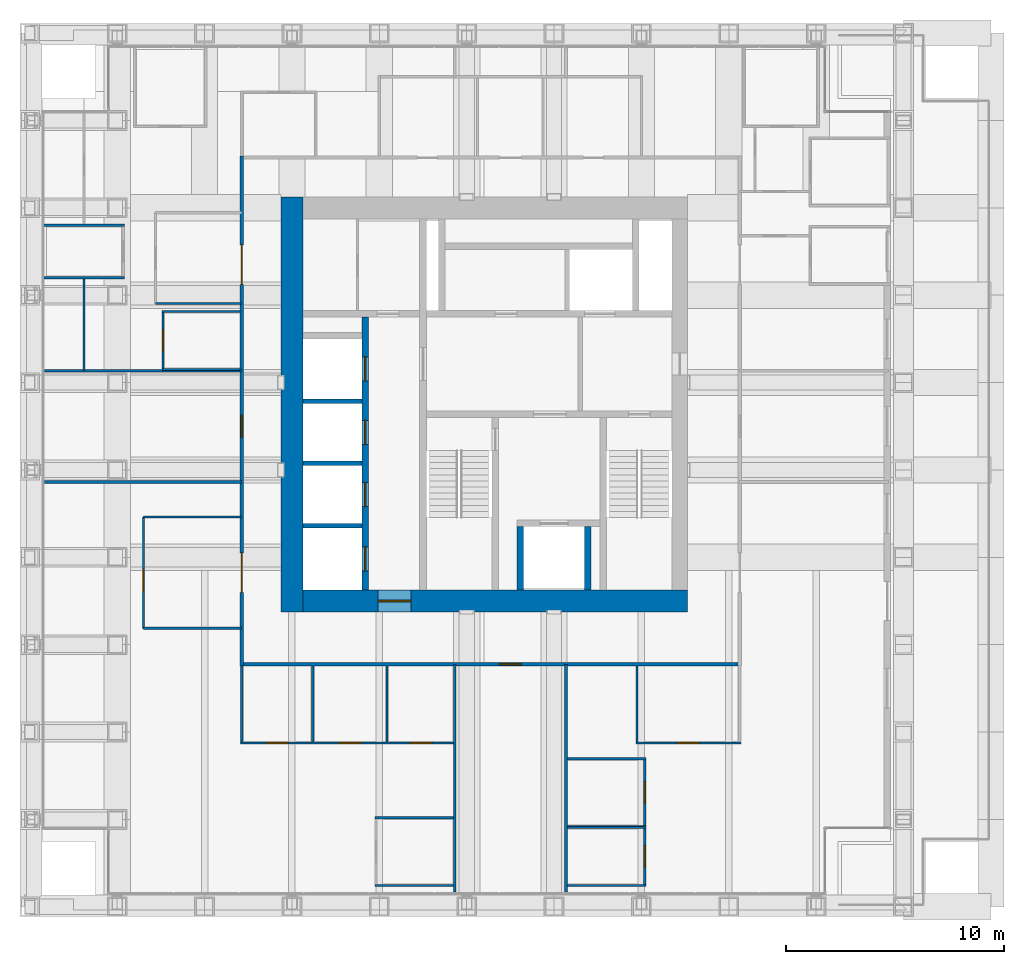
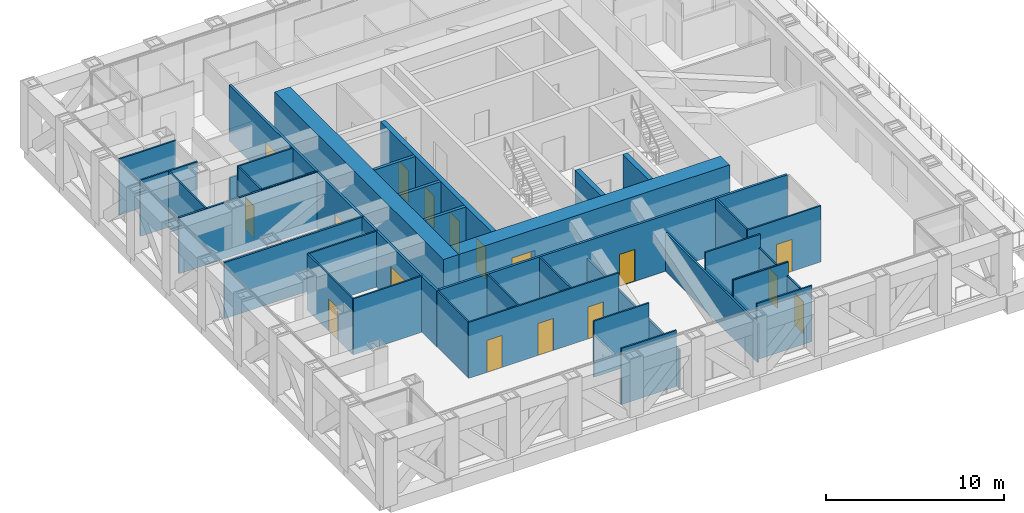
# One storey, part 9 of 14: 38 walls, 17 doors, 17 openings.
"""IFC4 building model written with IfcOpenShell, lengths in metres."""

from ifc_helpers import new_model, si_unit, direction, frame, frame_2d, origin, place, context, subcontext, project, spatial, rectangle, extrude, material, layer, layer_set, type_object, element, fill, save


model = new_model("IFC4")

# Units and contexts
model_context = context("Model", 3, precision=1e-05, world=origin(), true_north=direction((0.0, 1.0)))
body_context = subcontext(model_context, "Body", "Model", "MODEL_VIEW")
ifc_project = project(units=[si_unit("LENGTHUNIT", "METRE"), si_unit("AREAUNIT", "SQUARE_METRE"), si_unit("VOLUMEUNIT", "CUBIC_METRE"), si_unit("PLANEANGLEUNIT", "RADIAN"), si_unit("MASSUNIT", "GRAM", prefix="KILO")], contexts=[model_context])

# Site, building, storey
site_placement = place(None, origin())
site = spatial("IfcSite", under=ifc_project, at=site_placement, CompositionType="ELEMENT")
building_placement = place(site_placement, origin())
building = spatial("IfcBuilding", under=site, at=building_placement, Name="Rimbunsela Tower", CompositionType="ELEMENT")
storey_placement = place(building_placement, frame((0.0, 0.0, 270.199951171875)))
storey = spatial("IfcBuildingStorey", under=building, at=storey_placement, Name="L65", CompositionType="ELEMENT", Elevation=270.199951171875)

# Walls
ifc_material_1 = material(Name="Concrete fc' 80 MPa", Category="concrete")
ifc_layer_1 = layer(ifc_material_1, 0.300048828125)
ifc_layer_set_1 = layer_set([ifc_layer_1], Name="Core internal wall 300")
wall_type_1 = type_object("IfcWallType", Name="Core internal wall 300", PredefinedType="SHEAR", material=ifc_layer_set_1)
for number, where, z_axis, x_axis, name in (
    (1, (28.449951171875, 18.5, -0.14990234375), (0.0, 0.0, 1.0), (0.0, 1.0, 0.0), "Firefighting lift shaft west"),
    (2, (31.550048828125, 18.5, -0.14990234375), (0.0, 0.0, 1.0), (0.0, 1.0, 0.0), "Firefighting lift shaft east"),
):
    element("IfcWall", number, at=place(storey_placement, frame(where, z_axis=z_axis, x_axis=x_axis)), inside=storey, type_object=wall_type_1, Name=name, PredefinedType="SHEAR", context=body_context, shape_type="SweptSolid", body=[
        extrude(rectangle(XDim=2.89990234375, YDim=0.300048828125, at=frame_2d((1.449951171875, 0.0))), origin(), (0.0, 0.0, 1.0), 4.0),
    ])

# Wall, openings, doors
wall_1_placement = place(storey_placement, frame((21.35009765625, 18.5, -0.14990234375), z_axis=(0.0, 0.0, 1.0), x_axis=(0.0, 1.0, 0.0)))
wall_1 = element("IfcWall", 3, at=wall_1_placement, inside=storey, type_object=wall_type_1, Name="Lift shaft front west", PredefinedType="SHEAR", context=body_context, shape_type="SweptSolid", body=[
    extrude(rectangle(XDim=12.5, YDim=0.300048828125, at=frame_2d((6.25, 0.0))), origin(), (0.0, 0.0, 1.0), 4.0),
])
opening_1_placement = place(wall_1_placement, frame((0.875, 0.0, 0.14990234375)))
opening_1 = element("IfcOpeningElement", 4, at=opening_1_placement, cuts=wall_1, Name="Opening LD1", PredefinedType="OPENING", context=body_context, shape_type="SweptSolid", body=[
    extrude(rectangle(XDim=1.10009765625, YDim=2.199951171875, at=frame_2d((0.550048828125, 1.10009765625))), frame((0.0, 0.159912109375, 0.0), z_axis=(0.0, -1.0, 0.0), x_axis=(1.0, 0.0, 0.0)), (0.0, 0.0, 1.0), 0.320068359375),
])
opening_2_placement = place(wall_1_placement, frame((3.824951171875, 0.0, 0.14990234375)))
opening_2 = element("IfcOpeningElement", 5, at=opening_2_placement, cuts=wall_1, Name="Opening LD1", PredefinedType="OPENING", context=body_context, shape_type="SweptSolid", body=[
    extrude(rectangle(XDim=1.10009765625, YDim=2.199951171875, at=frame_2d((0.550048828125, 1.10009765625))), frame((0.0, 0.159912109375, 0.0), z_axis=(0.0, -1.0, 0.0), x_axis=(1.0, 0.0, 0.0)), (0.0, 0.0, 1.0), 0.320068359375),
])
opening_3_placement = place(wall_1_placement, frame((6.675048828125, 0.0, 0.14990234375)))
opening_3 = element("IfcOpeningElement", 6, at=opening_3_placement, cuts=wall_1, Name="Opening LD1", PredefinedType="OPENING", context=body_context, shape_type="SweptSolid", body=[
    extrude(rectangle(XDim=1.10009765625, YDim=2.199951171875, at=frame_2d((0.550048828125, 1.10009765625))), frame((0.0, 0.159912109375, 0.0), z_axis=(0.0, -1.0, 0.0), x_axis=(1.0, 0.0, 0.0)), (0.0, 0.0, 1.0), 0.320068359375),
])
opening_4_placement = place(wall_1_placement, frame((9.574951171875, 0.0, 0.14990234375)))
opening_4 = element("IfcOpeningElement", 7, at=opening_4_placement, cuts=wall_1, Name="Opening LD1", PredefinedType="OPENING", context=body_context, shape_type="SweptSolid", body=[
    extrude(rectangle(XDim=1.10009765625, YDim=2.199951171875, at=frame_2d((0.550048828125, 1.10009765625))), frame((0.0, 0.159912109375, 0.0), z_axis=(0.0, -1.0, 0.0), x_axis=(1.0, 0.0, 0.0)), (0.0, 0.0, 1.0), 0.320068359375),
])
ifc_material_2 = material(Name="Steel door, fire rated", Category="steel")
door_type_1 = type_object("IfcDoorType", Name="Lift landing door 1100", OperationType="DOUBLE_DOOR_SLIDING", PredefinedType="DOOR", material=ifc_material_2)
door_1_placement = place(opening_1_placement, origin())
door_1 = element("IfcDoor", 8, at=door_1_placement, inside=storey, type_object=door_type_1, Name="Lift landing door TL1", OperationType="DOUBLE_DOOR_SLIDING", OverallHeight=2.199951171875, OverallWidth=1.10009765625, PredefinedType="DOOR", context=body_context, shape_type="SweptSolid", body=[
    extrude(rectangle(XDim=1.10009765625, YDim=2.199951171875, at=frame_2d((0.550048828125, 1.10009765625))), frame((0.0, 0.02490234375, 0.0), z_axis=(0.0, -1.0, 0.0), x_axis=(1.0, 0.0, 0.0)), (0.0, 0.0, 1.0), 0.050048828125),
])
fill(opening_1, door_1)
door_2_placement = place(opening_2_placement, origin())
door_2 = element("IfcDoor", 9, at=door_2_placement, inside=storey, type_object=door_type_1, Name="Lift landing door TL2", OperationType="DOUBLE_DOOR_SLIDING", OverallHeight=2.199951171875, OverallWidth=1.10009765625, PredefinedType="DOOR", context=body_context, shape_type="SweptSolid", body=[
    extrude(rectangle(XDim=1.10009765625, YDim=2.199951171875, at=frame_2d((0.550048828125, 1.10009765625))), frame((0.0, 0.02490234375, 0.0), z_axis=(0.0, -1.0, 0.0), x_axis=(1.0, 0.0, 0.0)), (0.0, 0.0, 1.0), 0.050048828125),
])
fill(opening_2, door_2)
door_3_placement = place(opening_3_placement, origin())
door_3 = element("IfcDoor", 10, at=door_3_placement, inside=storey, type_object=door_type_1, Name="Lift landing door TL3", OperationType="DOUBLE_DOOR_SLIDING", OverallHeight=2.199951171875, OverallWidth=1.10009765625, PredefinedType="DOOR", context=body_context, shape_type="SweptSolid", body=[
    extrude(rectangle(XDim=1.10009765625, YDim=2.199951171875, at=frame_2d((0.550048828125, 1.10009765625))), frame((0.0, 0.02490234375, 0.0), z_axis=(0.0, -1.0, 0.0), x_axis=(1.0, 0.0, 0.0)), (0.0, 0.0, 1.0), 0.050048828125),
])
fill(opening_3, door_3)
door_4_placement = place(opening_4_placement, origin())
door_4 = element("IfcDoor", 11, at=door_4_placement, inside=storey, type_object=door_type_1, Name="Lift landing door TL4", OperationType="DOUBLE_DOOR_SLIDING", OverallHeight=2.199951171875, OverallWidth=1.10009765625, PredefinedType="DOOR", context=body_context, shape_type="SweptSolid", body=[
    extrude(rectangle(XDim=1.10009765625, YDim=2.199951171875, at=frame_2d((0.550048828125, 1.10009765625))), frame((0.0, 0.02490234375, 0.0), z_axis=(0.0, -1.0, 0.0), x_axis=(1.0, 0.0, 0.0)), (0.0, 0.0, 1.0), 0.050048828125),
])
fill(opening_4, door_4)

# Wall
ifc_material_3 = material(Name="Concrete fc' 80 MPa", Category="concrete")
ifc_layer_2 = layer(ifc_material_3, 1.0)
ifc_layer_set_2 = layer_set([ifc_layer_2], Name="Core wall 1000")
wall_type_2 = type_object("IfcWallType", Name="Core wall 1000", PredefinedType="SHEAR", material=ifc_layer_set_2)
wall_2_placement = place(storey_placement, frame((18.0, 17.5, -0.14990234375), z_axis=(0.0, 0.0, 1.0), x_axis=(0.0, 1.0, 0.0)))
element("IfcWall", 12, at=wall_2_placement, inside=storey, type_object=wall_type_2, Name="Core wall west", PredefinedType="SHEAR", context=body_context, shape_type="SweptSolid", body=[
    extrude(rectangle(XDim=19.0, YDim=1.0, at=frame_2d((9.5, 0.0))), origin(), (0.0, 0.0, 1.0), 4.0),
])

# Wall, opening, door
wall_3_placement = place(storey_placement, frame((18.5, 18.0, -0.14990234375), z_axis=(0.0, 0.0, 1.0), x_axis=(1.0, 0.0, 0.0)))
wall_3 = element("IfcWall", 13, at=wall_3_placement, inside=storey, type_object=wall_type_2, Name="Core wall south", PredefinedType="SHEAR", context=body_context, shape_type="SweptSolid", body=[
    extrude(rectangle(XDim=17.60009765625, YDim=1.0, at=frame_2d((8.800048828125, 0.0))), origin(), (0.0, 0.0, 1.0), 4.0),
])
opening_5_placement = place(wall_3_placement, frame((3.449951171875, 0.0, 0.14990234375)))
opening_5 = element("IfcOpeningElement", 14, at=opening_5_placement, cuts=wall_3, Name="Opening D03", PredefinedType="OPENING", context=body_context, shape_type="SweptSolid", body=[
    extrude(rectangle(XDim=1.5, YDim=2.39990234375, at=frame_2d((0.75, 1.199951171875))), frame((0.0, 0.510009765625, 0.0), z_axis=(0.0, -1.0, 0.0), x_axis=(1.0, 0.0, 0.0)), (0.0, 0.0, 1.0), 1.02001953125),
])
ifc_material_4 = material(Name="Steel door, fire rated", Category="steel")
door_type_2 = type_object("IfcDoorType", Name="Core lobby door 1500", OperationType="DOUBLE_DOOR_DOUBLE_SWING", PredefinedType="DOOR", material=ifc_material_4)
door_5_placement = place(opening_5_placement, origin())
door_5 = element("IfcDoor", 15, at=door_5_placement, inside=storey, type_object=door_type_2, Name="Core door south", OperationType="DOUBLE_DOOR_DOUBLE_SWING", OverallHeight=2.39990234375, OverallWidth=1.5, PredefinedType="DOOR", context=body_context, shape_type="SweptSolid", body=[
    extrude(rectangle(XDim=1.5, YDim=2.39990234375, at=frame_2d((0.75, 1.199951171875))), frame((0.0, 0.02490234375, 0.0), z_axis=(0.0, -1.0, 0.0), x_axis=(1.0, 0.0, 0.0)), (0.0, 0.0, 1.0), 0.050048828125),
])
fill(opening_5, door_5)

# Walls
ifc_material_5 = material(Name="Concrete blockwork", Category="masonry")
ifc_layer_3 = layer(ifc_material_5, 0.199951171875)
ifc_layer_set_3 = layer_set([ifc_layer_3], Name="Lift shaft wall 200")
wall_type_3 = type_object("IfcWallType", Name="Lift shaft wall 200", PredefinedType="SOLIDWALL", material=ifc_layer_set_3)
for number, where, z_axis, x_axis, name in (
    (16, (18.5, 21.449951171875, -0.14990234375), (0.0, 0.0, 1.0), (1.0, 0.0, 0.0), "Lift shaft separation"),
    (17, (18.5, 24.300048828125, -0.14990234375), (0.0, 0.0, 1.0), (1.0, 0.0, 0.0), "Lift shaft separation"),
    (18, (18.5, 27.14990234375, -0.14990234375), (0.0, 0.0, 1.0), (1.0, 0.0, 0.0), "Lift shaft separation"),
):
    element("IfcWall", number, at=place(storey_placement, frame(where, z_axis=z_axis, x_axis=x_axis)), inside=storey, type_object=wall_type_3, Name=name, PredefinedType="SOLIDWALL", context=body_context, shape_type="SweptSolid", body=[
        extrude(rectangle(XDim=2.699951171875, YDim=0.199951171875, at=frame_2d((1.35009765625, 0.0))), origin(), (0.0, 0.0, 1.0), 4.0),
    ])
ifc_material_6 = material(Name="Gypsum board on steel studs", Category="steel")
ifc_layer_4 = layer(ifc_material_6, 0.10009765625)
ifc_layer_set_4 = layer_set([ifc_layer_4], Name="Office partition 100")
wall_type_4 = type_object("IfcWallType", Name="Office partition 100", PredefinedType="PARTITIONING", material=ifc_layer_set_4)
for number, where, z_axis, x_axis, name in (
    (19, (21.800048828125, 4.97998046875, 0.0), (0.0, 0.0, 1.0), (1.0, 0.0, 0.0), "Office partition"),
    (20, (30.610107421875, 4.97998046875, 0.0), (0.0, 0.0, 1.0), (1.0, 0.0, 0.0), "Office partition"),
    (21, (30.610107421875, 7.6298828125, 0.0), (0.0, 0.0, 1.0), (1.0, 0.0, 0.0), "Office partition"),
    (22, (30.610107421875, 7.679931640625, 0.0), (0.0, 0.0, 1.0), (1.0, 0.0, 0.0), "Office partition"),
    (23, (21.800048828125, 8.080078125, 0.0), (0.0, 0.0, 1.0), (1.0, 0.0, 0.0), "Office partition"),
    (24, (30.610107421875, 10.780029296875, 0.0), (0.0, 0.0, 1.0), (1.0, 0.0, 0.0), "Office partition"),
):
    element("IfcWall", number, at=place(storey_placement, frame(where, z_axis=z_axis, x_axis=x_axis)), inside=storey, type_object=wall_type_4, Name=name, PredefinedType="PARTITIONING", context=body_context, shape_type="SweptSolid", body=[
        extrude(rectangle(XDim=3.58984375, YDim=0.10009765625, at=frame_2d((1.794921875, 0.0))), origin(), (0.0, 0.0, 1.0), 3.85009765625),
    ])

# Wall, openings, doors
wall_4_placement = place(storey_placement, frame((15.64990234375, 11.5, 0.0), z_axis=(0.0, 0.0, 1.0), x_axis=(1.0, 0.0, 0.0)))
wall_4 = element("IfcWall", 25, at=wall_4_placement, inside=storey, type_object=wall_type_4, Name="Office partition", PredefinedType="PARTITIONING", context=body_context, shape_type="SweptSolid", body=[
    extrude(rectangle(XDim=9.739013671875, YDim=0.10009765625, at=frame_2d((4.86962890625, 0.0))), origin(), (0.0, 0.0, 1.0), 3.85009765625),
])
opening_6_placement = place(wall_4_placement, frame((1.175048828125, 0.0, 0.0)))
opening_6 = element("IfcOpeningElement", 26, at=opening_6_placement, cuts=wall_4, Name="Opening D16", PredefinedType="OPENING", context=body_context, shape_type="SweptSolid", body=[
    extrude(rectangle(XDim=1.0, YDim=2.199951171875, at=frame_2d((0.5, 1.10009765625))), frame((0.0, 0.06005859375, 0.0), z_axis=(0.0, -1.0, 0.0), x_axis=(1.0, 0.0, 0.0)), (0.0, 0.0, 1.0), 0.1201171875),
])
opening_7_placement = place(wall_4_placement, frame((4.5, 0.0, 0.0)))
opening_7 = element("IfcOpeningElement", 27, at=opening_7_placement, cuts=wall_4, Name="Opening D16", PredefinedType="OPENING", context=body_context, shape_type="SweptSolid", body=[
    extrude(rectangle(XDim=1.0, YDim=2.199951171875, at=frame_2d((0.5, 1.10009765625))), frame((0.0, 0.06005859375, 0.0), z_axis=(0.0, -1.0, 0.0), x_axis=(1.0, 0.0, 0.0)), (0.0, 0.0, 1.0), 0.1201171875),
])
opening_8_placement = place(wall_4_placement, frame((7.74951171875, 0.0, 0.0)))
opening_8 = element("IfcOpeningElement", 28, at=opening_8_placement, cuts=wall_4, Name="Opening D16", PredefinedType="OPENING", context=body_context, shape_type="SweptSolid", body=[
    extrude(rectangle(XDim=1.0, YDim=2.199951171875, at=frame_2d((0.5, 1.10009765625))), frame((0.0, 0.06005859375, 0.0), z_axis=(0.0, -1.0, 0.0), x_axis=(1.0, 0.0, 0.0)), (0.0, 0.0, 1.0), 0.1201171875),
])
ifc_material_7 = material(Name="Timber door", Category="wood")
door_type_3 = type_object("IfcDoorType", Name="Office door 1000", OperationType="SINGLE_SWING_LEFT", PredefinedType="DOOR", material=ifc_material_7)
door_6_placement = place(opening_6_placement, origin())
door_6 = element("IfcDoor", 29, at=door_6_placement, inside=storey, type_object=door_type_3, Name="Office door", OperationType="SINGLE_SWING_LEFT", OverallHeight=2.199951171875, OverallWidth=1.0, PredefinedType="DOOR", context=body_context, shape_type="SweptSolid", body=[
    extrude(rectangle(XDim=1.0, YDim=2.199951171875, at=frame_2d((0.5, 1.10009765625))), frame((0.0, 0.02490234375, 0.0), z_axis=(0.0, -1.0, 0.0), x_axis=(1.0, 0.0, 0.0)), (0.0, 0.0, 1.0), 0.050048828125),
])
fill(opening_6, door_6)
door_7_placement = place(opening_7_placement, origin())
door_7 = element("IfcDoor", 30, at=door_7_placement, inside=storey, type_object=door_type_3, Name="Office door", OperationType="SINGLE_SWING_LEFT", OverallHeight=2.199951171875, OverallWidth=1.0, PredefinedType="DOOR", context=body_context, shape_type="SweptSolid", body=[
    extrude(rectangle(XDim=1.0, YDim=2.199951171875, at=frame_2d((0.5, 1.10009765625))), frame((0.0, 0.02490234375, 0.0), z_axis=(0.0, -1.0, 0.0), x_axis=(1.0, 0.0, 0.0)), (0.0, 0.0, 1.0), 0.050048828125),
])
fill(opening_7, door_7)
door_8_placement = place(opening_8_placement, origin())
door_8 = element("IfcDoor", 31, at=door_8_placement, inside=storey, type_object=door_type_3, Name="Office door", OperationType="SINGLE_SWING_LEFT", OverallHeight=2.199951171875, OverallWidth=1.0, PredefinedType="DOOR", context=body_context, shape_type="SweptSolid", body=[
    extrude(rectangle(XDim=1.0, YDim=2.199951171875, at=frame_2d((0.5, 1.10009765625))), frame((0.0, 0.02490234375, 0.0), z_axis=(0.0, -1.0, 0.0), x_axis=(1.0, 0.0, 0.0)), (0.0, 0.0, 1.0), 0.050048828125),
])
fill(opening_8, door_8)

# Wall, opening, door
wall_5_placement = place(storey_placement, frame((33.7509765625, 11.5, 0.0), z_axis=(0.0, 0.0, 1.0), x_axis=(1.0, 0.0, 0.0)))
wall_5 = element("IfcWall", 32, at=wall_5_placement, inside=storey, type_object=wall_type_4, Name="Office partition", PredefinedType="PARTITIONING", context=body_context, shape_type="SweptSolid", body=[
    extrude(rectangle(XDim=4.799072265625, YDim=0.10009765625, at=frame_2d((2.3994140625, 0.0))), origin(), (0.0, 0.0, 1.0), 3.85009765625),
])
opening_9_placement = place(wall_5_placement, frame((1.8994140625, 0.0, 0.0)))
opening_9 = element("IfcOpeningElement", 33, at=opening_9_placement, cuts=wall_5, Name="Opening D16", PredefinedType="OPENING", context=body_context, shape_type="SweptSolid", body=[
    extrude(rectangle(XDim=1.0, YDim=2.199951171875, at=frame_2d((0.5, 1.10009765625))), frame((0.0, 0.06005859375, 0.0), z_axis=(0.0, -1.0, 0.0), x_axis=(1.0, 0.0, 0.0)), (0.0, 0.0, 1.0), 0.1201171875),
])
door_9_placement = place(opening_9_placement, origin())
door_9 = element("IfcDoor", 34, at=door_9_placement, inside=storey, type_object=door_type_3, Name="Office door", OperationType="SINGLE_SWING_LEFT", OverallHeight=2.199951171875, OverallWidth=1.0, PredefinedType="DOOR", context=body_context, shape_type="SweptSolid", body=[
    extrude(rectangle(XDim=1.0, YDim=2.199951171875, at=frame_2d((0.5, 1.10009765625))), frame((0.0, 0.02490234375, 0.0), z_axis=(0.0, -1.0, 0.0), x_axis=(1.0, 0.0, 0.0)), (0.0, 0.0, 1.0), 0.050048828125),
])
fill(opening_9, door_9)

# Walls
for number, where, z_axis, x_axis, name in (
    (35, (12.050048828125, 28.60009765625, 0.0), (0.0, 0.0, 1.0), (1.0, 0.0, 0.0), "Office partition"),
    (36, (12.050048828125, 31.25, 0.0), (0.0, 0.0, 1.0), (1.0, 0.0, 0.0), "Office partition"),
):
    element("IfcWall", number, at=place(storey_placement, frame(where, z_axis=z_axis, x_axis=x_axis)), inside=storey, type_object=wall_type_4, Name=name, PredefinedType="PARTITIONING", context=body_context, shape_type="SweptSolid", body=[
        extrude(rectangle(XDim=3.574951171875, YDim=0.10009765625, at=frame_2d((1.78759765625, 0.0))), origin(), (0.0, 0.0, 1.0), 3.85009765625),
    ])
for number, where, z_axis, x_axis, name in (
    (37, (6.6298828125, 32.800048828125, 0.0), (0.0, 0.0, 1.0), (1.0, 0.0, 0.0), "Office partition"),
    (38, (6.6298828125, 35.199951171875, 0.0), (0.0, 0.0, 1.0), (1.0, 0.0, 0.0), "Office partition"),
):
    element("IfcWall", number, at=place(storey_placement, frame(where, z_axis=z_axis, x_axis=x_axis)), inside=storey, type_object=wall_type_4, Name=name, PredefinedType="PARTITIONING", context=body_context, shape_type="SweptSolid", body=[
        extrude(rectangle(XDim=3.7001953125, YDim=0.10009765625, at=frame_2d((1.85009765625, 0.0))), origin(), (0.0, 0.0, 1.0), 3.85009765625),
    ])

# Wall, opening, door
wall_6_placement = place(storey_placement, frame((12.10009765625, 28.64990234375, 0.0), z_axis=(0.0, 0.0, 1.0), x_axis=(0.0, 1.0, 0.0)))
wall_6 = element("IfcWall", 39, at=wall_6_placement, inside=storey, type_object=wall_type_4, Name="Office partition", PredefinedType="PARTITIONING", context=body_context, shape_type="SweptSolid", body=[
    extrude(rectangle(XDim=2.550048828125, YDim=0.10009765625, at=frame_2d((1.27490234375, 0.0))), origin(), (0.0, 0.0, 1.0), 3.85009765625),
])
opening_10_placement = place(wall_6_placement, frame((0.77490234375, 0.0, 0.0)))
opening_10 = element("IfcOpeningElement", 40, at=opening_10_placement, cuts=wall_6, Name="Opening D16", PredefinedType="OPENING", context=body_context, shape_type="SweptSolid", body=[
    extrude(rectangle(XDim=1.0, YDim=2.199951171875, at=frame_2d((0.5, 1.10009765625))), frame((0.0, 0.06005859375, 0.0), z_axis=(0.0, -1.0, 0.0), x_axis=(1.0, 0.0, 0.0)), (0.0, 0.0, 1.0), 0.1201171875),
])
door_10_placement = place(opening_10_placement, origin())
door_10 = element("IfcDoor", 41, at=door_10_placement, inside=storey, type_object=door_type_3, Name="Office door", OperationType="SINGLE_SWING_LEFT", OverallHeight=2.199951171875, OverallWidth=1.0, PredefinedType="DOOR", context=body_context, shape_type="SweptSolid", body=[
    extrude(rectangle(XDim=1.0, YDim=2.199951171875, at=frame_2d((0.5, 1.10009765625))), frame((0.0, 0.02490234375, 0.0), z_axis=(0.0, -1.0, 0.0), x_axis=(1.0, 0.0, 0.0)), (0.0, 0.0, 1.0), 0.050048828125),
])
fill(opening_10, door_10)

# Walls
for number, where, z_axis, x_axis, name in (
    (42, (15.699951171875, 11.550048828125, 0.0), (0.0, 0.0, 1.0), (0.0, 1.0, 0.0), "Office partition"),
    (43, (18.949951171875, 11.550048828125, 0.0), (0.0, 0.0, 1.0), (0.0, 1.0, 0.0), "Office partition"),
    (44, (22.35009765625, 11.550048828125, 0.0), (0.0, 0.0, 1.0), (0.0, 1.0, 0.0), "Office partition"),
    (45, (33.801025390625, 11.550048828125, 0.0), (0.0, 0.0, 1.0), (0.0, 1.0, 0.0), "Office partition"),
):
    element("IfcWall", number, at=place(storey_placement, frame(where, z_axis=z_axis, x_axis=x_axis)), inside=storey, type_object=wall_type_4, Name=name, PredefinedType="PARTITIONING", context=body_context, shape_type="SweptSolid", body=[
        extrude(rectangle(XDim=3.474853515625, YDim=0.10009765625, at=frame_2d((1.7373046875, 0.0))), origin(), (0.0, 0.0, 1.0), 3.85009765625),
    ])

# Wall, opening, door
wall_7_placement = place(storey_placement, frame((34.14990234375, 5.030029296875, 0.0), z_axis=(0.0, 0.0, 1.0), x_axis=(0.0, 1.0, 0.0)))
wall_7 = element("IfcWall", 46, at=wall_7_placement, inside=storey, type_object=wall_type_4, Name="Office partition", PredefinedType="PARTITIONING", context=body_context, shape_type="SweptSolid", body=[
    extrude(rectangle(XDim=2.550048828125, YDim=0.10009765625, at=frame_2d((1.27490234375, 0.0))), origin(), (0.0, 0.0, 1.0), 2.949951171875),
])
opening_11_placement = place(wall_7_placement, frame((0.77490234375, 0.0, 0.0)))
opening_11 = element("IfcOpeningElement", 47, at=opening_11_placement, cuts=wall_7, Name="Opening D16", PredefinedType="OPENING", context=body_context, shape_type="SweptSolid", body=[
    extrude(rectangle(XDim=1.0, YDim=2.199951171875, at=frame_2d((0.5, 1.10009765625))), frame((0.0, 0.06005859375, 0.0), z_axis=(0.0, -1.0, 0.0), x_axis=(1.0, 0.0, 0.0)), (0.0, 0.0, 1.0), 0.1201171875),
])
door_11_placement = place(opening_11_placement, origin())
door_11 = element("IfcDoor", 48, at=door_11_placement, inside=storey, type_object=door_type_3, Name="Office door", OperationType="SINGLE_SWING_LEFT", OverallHeight=2.199951171875, OverallWidth=1.0, PredefinedType="DOOR", context=body_context, shape_type="SweptSolid", body=[
    extrude(rectangle(XDim=1.0, YDim=2.199951171875, at=frame_2d((0.5, 1.10009765625))), frame((0.0, 0.02490234375, 0.0), z_axis=(0.0, -1.0, 0.0), x_axis=(1.0, 0.0, 0.0)), (0.0, 0.0, 1.0), 0.050048828125),
])
fill(opening_11, door_11)

wall_8_placement = place(storey_placement, frame((34.14990234375, 7.72998046875, 0.0), z_axis=(0.0, 0.0, 1.0), x_axis=(0.0, 1.0, 0.0)))
wall_8 = element("IfcWall", 49, at=wall_8_placement, inside=storey, type_object=wall_type_4, Name="Office partition", PredefinedType="PARTITIONING", context=body_context, shape_type="SweptSolid", body=[
    extrude(rectangle(XDim=3.0, YDim=0.10009765625, at=frame_2d((1.5, 0.0))), origin(), (0.0, 0.0, 1.0), 2.949951171875),
])
opening_12_placement = place(wall_8_placement, frame((1.0, 0.0, 0.0)))
opening_12 = element("IfcOpeningElement", 50, at=opening_12_placement, cuts=wall_8, Name="Opening D16", PredefinedType="OPENING", context=body_context, shape_type="SweptSolid", body=[
    extrude(rectangle(XDim=1.0, YDim=2.199951171875, at=frame_2d((0.5, 1.10009765625))), frame((0.0, 0.06005859375, 0.0), z_axis=(0.0, -1.0, 0.0), x_axis=(1.0, 0.0, 0.0)), (0.0, 0.0, 1.0), 0.1201171875),
])
door_12_placement = place(opening_12_placement, origin())
door_12 = element("IfcDoor", 51, at=door_12_placement, inside=storey, type_object=door_type_3, Name="Office door", OperationType="SINGLE_SWING_LEFT", OverallHeight=2.199951171875, OverallWidth=1.0, PredefinedType="DOOR", context=body_context, shape_type="SweptSolid", body=[
    extrude(rectangle(XDim=1.0, YDim=2.199951171875, at=frame_2d((0.5, 1.10009765625))), frame((0.0, 0.02490234375, 0.0), z_axis=(0.0, -1.0, 0.0), x_axis=(1.0, 0.0, 0.0)), (0.0, 0.0, 1.0), 0.050048828125),
])
fill(opening_12, door_12)

# Wall
wall_9_placement = place(storey_placement, frame((15.699951171875, 21.84912109375, 0.0), z_axis=(0.0, 0.0, 1.0), x_axis=(-1.0, 0.0, 0.0)))
element("IfcWall", 52, at=wall_9_placement, inside=storey, type_object=wall_type_4, Name="Office partition", PredefinedType="PARTITIONING", context=body_context, shape_type="SweptSolid", body=[
    extrude(rectangle(XDim=4.5, YDim=0.10009765625, at=frame_2d((2.25, 0.0))), origin(), (0.0, 0.0, 1.0), 3.85009765625),
])

# Wall, opening, door
wall_10_placement = place(storey_placement, frame((11.199951171875, 21.84912109375, 0.0), z_axis=(0.0, 0.0, 1.0), x_axis=(0.0, -1.0, 0.0)))
wall_10 = element("IfcWall", 53, at=wall_10_placement, inside=storey, type_object=wall_type_4, Name="Office partition", PredefinedType="PARTITIONING", context=body_context, shape_type="SweptSolid", body=[
    extrude(rectangle(XDim=5.10009765625, YDim=0.10009765625, at=frame_2d((2.550048828125, 0.0))), origin(), (0.0, 0.0, 1.0), 3.85009765625),
])
opening_13_placement = place(wall_10_placement, frame((2.39990234375, 0.0, 0.0)))
opening_13 = element("IfcOpeningElement", 54, at=opening_13_placement, cuts=wall_10, Name="Opening D17", PredefinedType="OPENING", context=body_context, shape_type="SweptSolid", body=[
    extrude(rectangle(XDim=1.0, YDim=2.199951171875, at=frame_2d((0.5, 1.10009765625))), frame((0.0, 0.06005859375, 0.0), z_axis=(0.0, -1.0, 0.0), x_axis=(1.0, 0.0, 0.0)), (0.0, 0.0, 1.0), 0.1201171875),
])
ifc_material_8 = material(Name="Glazed aluminium door", Category="aluminium")
door_type_4 = type_object("IfcDoorType", Name="Meeting room door 1000 glazed", OperationType="SINGLE_SWING_RIGHT", PredefinedType="DOOR", material=ifc_material_8)
door_13_placement = place(opening_13_placement, origin())
door_13 = element("IfcDoor", 55, at=door_13_placement, inside=storey, type_object=door_type_4, Name="Reception door", OperationType="SINGLE_SWING_RIGHT", OverallHeight=2.199951171875, OverallWidth=1.0, PredefinedType="DOOR", context=body_context, shape_type="SweptSolid", body=[
    extrude(rectangle(XDim=1.0, YDim=2.199951171875, at=frame_2d((0.5, 1.10009765625))), frame((0.0, 0.02490234375, 0.0), z_axis=(0.0, -1.0, 0.0), x_axis=(1.0, 0.0, 0.0)), (0.0, 0.0, 1.0), 0.050048828125),
])
fill(opening_13, door_13)

# Walls
wall_11_placement = place(storey_placement, frame((11.199951171875, 16.7490234375, 0.0), z_axis=(0.0, 0.0, 1.0), x_axis=(1.0, 0.0, 0.0)))
element("IfcWall", 56, at=wall_11_placement, inside=storey, type_object=wall_type_4, Name="Office partition", PredefinedType="PARTITIONING", context=body_context, shape_type="SweptSolid", body=[
    extrude(rectangle(XDim=4.5, YDim=0.10009765625, at=frame_2d((2.25, 0.0))), origin(), (0.0, 0.0, 1.0), 3.85009765625),
])
wall_12_placement = place(storey_placement, frame((8.47998046875, 28.551025390625, 0.0), z_axis=(0.0, 0.0, 1.0), x_axis=(0.0, 1.0, 0.0)))
element("IfcWall", 57, at=wall_12_placement, inside=storey, type_object=wall_type_4, Name="Office partition", PredefinedType="PARTITIONING", context=body_context, shape_type="SweptSolid", body=[
    extrude(rectangle(XDim=4.198974609375, YDim=0.10009765625, at=frame_2d((2.099609375, 0.0))), origin(), (0.0, 0.0, 1.0), 3.85009765625),
])
wall_13_placement = place(storey_placement, frame((11.75, 31.6259765625, 0.0), z_axis=(0.0, 0.0, 1.0), x_axis=(1.0, 0.0, 0.0)))
element("IfcWall", 58, at=wall_13_placement, inside=storey, type_object=wall_type_4, Name="Office partition", PredefinedType="PARTITIONING", context=body_context, shape_type="SweptSolid", body=[
    extrude(rectangle(XDim=3.949951171875, YDim=0.10009765625, at=frame_2d((1.97509765625, 0.0))), origin(), (0.0, 0.0, 1.0), 2.949951171875),
])

# Wall, openings, doors
ifc_material_9 = material(Name="Fire-rated gypsum board on steel studs, EI 60", Category="steel")
ifc_layer_5 = layer(ifc_material_9, 0.14990234375)
ifc_layer_set_5 = layer_set([ifc_layer_5], Name="Rated corridor wall 150")
wall_type_5 = type_object("IfcWallType", Name="Rated corridor wall 150", PredefinedType="PARTITIONING", material=ifc_layer_set_5)
wall_14_placement = place(storey_placement, frame((15.699951171875, 15.02490234375, 0.0), z_axis=(0.0, 0.0, 1.0), x_axis=(0.0, 1.0, 0.0)))
wall_14 = element("IfcWall", 59, at=wall_14_placement, inside=storey, type_object=wall_type_5, Name="Corridor wall west", PredefinedType="PARTITIONING", context=body_context, shape_type="SweptSolid", body=[
    extrude(rectangle(XDim=23.35009765625, YDim=0.14990234375, at=frame_2d((11.675048828125, 0.0))), origin(), (0.0, 0.0, 1.0), 3.85009765625),
])
opening_14_placement = place(wall_14_placement, frame((3.3740234375, 0.0, 0.0)))
opening_14 = element("IfcOpeningElement", 60, at=opening_14_placement, cuts=wall_14, Name="Opening D09", PredefinedType="OPENING", context=body_context, shape_type="SweptSolid", body=[
    extrude(rectangle(XDim=1.800048828125, YDim=2.39990234375, at=frame_2d((0.89990234375, 1.199951171875))), frame((0.0, 0.0849609375, 0.0), z_axis=(0.0, -1.0, 0.0), x_axis=(1.0, 0.0, 0.0)), (0.0, 0.0, 1.0), 0.169921875),
])
opening_15_placement = place(wall_14_placement, frame((17.47607421875, 0.0, 0.0)))
opening_15 = element("IfcOpeningElement", 61, at=opening_15_placement, cuts=wall_14, Name="Opening D09", PredefinedType="OPENING", context=body_context, shape_type="SweptSolid", body=[
    extrude(rectangle(XDim=1.800048828125, YDim=2.39990234375, at=frame_2d((0.89990234375, 1.199951171875))), frame((0.0, 0.0849609375, 0.0), z_axis=(0.0, -1.0, 0.0), x_axis=(1.0, 0.0, 0.0)), (0.0, 0.0, 1.0), 0.169921875),
])
opening_16_placement = place(wall_14_placement, frame((10.47509765625, 0.0, 0.0)))
opening_16 = element("IfcOpeningElement", 62, at=opening_16_placement, cuts=wall_14, Name="Opening D19", PredefinedType="OPENING", context=body_context, shape_type="SweptSolid", body=[
    extrude(rectangle(XDim=1.0, YDim=2.199951171875, at=frame_2d((0.5, 1.10009765625))), frame((0.0, 0.0849609375, 0.0), z_axis=(0.0, -1.0, 0.0), x_axis=(1.0, 0.0, 0.0)), (0.0, 0.0, 1.0), 0.169921875),
])
ifc_material_10 = material(Name="Steel door, fire rated", Category="steel")
door_type_5 = type_object("IfcDoorType", Name="Service door 1000 fire rated", OperationType="SINGLE_SWING_LEFT", PredefinedType="DOOR", material=ifc_material_10)
door_14_placement = place(opening_16_placement, origin())
door_14 = element("IfcDoor", 63, at=door_14_placement, inside=storey, type_object=door_type_5, Name="Service chase access door", OperationType="SINGLE_SWING_LEFT", OverallHeight=2.199951171875, OverallWidth=1.0, PredefinedType="DOOR", context=body_context, shape_type="SweptSolid", body=[
    extrude(rectangle(XDim=1.0, YDim=2.199951171875, at=frame_2d((0.5, 1.10009765625))), frame((0.0, 0.02490234375, 0.0), z_axis=(0.0, -1.0, 0.0), x_axis=(1.0, 0.0, 0.0)), (0.0, 0.0, 1.0), 0.050048828125),
])
fill(opening_16, door_14)
ifc_material_11 = material(Name="Glazed aluminium door, fire rated", Category="aluminium")
door_type_6 = type_object("IfcDoorType", Name="Tenancy door 1800 glazed", OperationType="DOUBLE_DOOR_DOUBLE_SWING", PredefinedType="DOOR", material=ifc_material_11)
door_15_placement = place(opening_14_placement, origin())
door_15 = element("IfcDoor", 64, at=door_15_placement, inside=storey, type_object=door_type_6, Name="Tenancy door", OperationType="DOUBLE_DOOR_DOUBLE_SWING", OverallHeight=2.39990234375, OverallWidth=1.800048828125, PredefinedType="DOOR", context=body_context, shape_type="SweptSolid", body=[
    extrude(rectangle(XDim=1.800048828125, YDim=2.39990234375, at=frame_2d((0.89990234375, 1.199951171875))), frame((0.0, 0.02490234375, 0.0), z_axis=(0.0, -1.0, 0.0), x_axis=(1.0, 0.0, 0.0)), (0.0, 0.0, 1.0), 0.050048828125),
])
fill(opening_14, door_15)
door_16_placement = place(opening_15_placement, origin())
door_16 = element("IfcDoor", 65, at=door_16_placement, inside=storey, type_object=door_type_6, Name="Tenancy door", OperationType="DOUBLE_DOOR_DOUBLE_SWING", OverallHeight=2.39990234375, OverallWidth=1.800048828125, PredefinedType="DOOR", context=body_context, shape_type="SweptSolid", body=[
    extrude(rectangle(XDim=1.800048828125, YDim=2.39990234375, at=frame_2d((0.89990234375, 1.199951171875))), frame((0.0, 0.02490234375, 0.0), z_axis=(0.0, -1.0, 0.0), x_axis=(1.0, 0.0, 0.0)), (0.0, 0.0, 1.0), 0.050048828125),
])
fill(opening_15, door_16)

# Wall, opening, door
wall_15_placement = place(storey_placement, frame((15.77490234375, 15.10009765625, 0.0), z_axis=(0.0, 0.0, 1.0), x_axis=(1.0, 0.0, 0.0)))
wall_15 = element("IfcWall", 66, at=wall_15_placement, inside=storey, type_object=wall_type_5, Name="Corridor wall south", PredefinedType="PARTITIONING", context=body_context, shape_type="SweptSolid", body=[
    extrude(rectangle(XDim=22.650146484375, YDim=0.14990234375, at=frame_2d((11.3251953125, 0.0))), origin(), (0.0, 0.0, 1.0), 3.85009765625),
])
opening_17_placement = place(wall_15_placement, frame((11.72509765625, 0.0, 0.0)))
opening_17 = element("IfcOpeningElement", 67, at=opening_17_placement, cuts=wall_15, Name="Opening D19", PredefinedType="OPENING", context=body_context, shape_type="SweptSolid", body=[
    extrude(rectangle(XDim=1.0, YDim=2.199951171875, at=frame_2d((0.5, 1.10009765625))), frame((0.0, 0.0849609375, 0.0), z_axis=(0.0, -1.0, 0.0), x_axis=(1.0, 0.0, 0.0)), (0.0, 0.0, 1.0), 0.169921875),
])
door_17_placement = place(opening_17_placement, origin())
door_17 = element("IfcDoor", 68, at=door_17_placement, inside=storey, type_object=door_type_5, Name="Service chase access door", OperationType="SINGLE_SWING_LEFT", OverallHeight=2.199951171875, OverallWidth=1.0, PredefinedType="DOOR", context=body_context, shape_type="SweptSolid", body=[
    extrude(rectangle(XDim=1.0, YDim=2.199951171875, at=frame_2d((0.5, 1.10009765625))), frame((0.0, 0.02490234375, 0.0), z_axis=(0.0, -1.0, 0.0), x_axis=(1.0, 0.0, 0.0)), (0.0, 0.0, 1.0), 0.050048828125),
])
fill(opening_17, door_17)

# Walls
ifc_material_12 = material(Name="Gypsum board on steel studs", Category="steel")
ifc_layer_6 = layer(ifc_material_12, 0.1201171875)
ifc_layer_set_6 = layer_set([ifc_layer_6], Name="Tenancy partition 120")
wall_type_6 = type_object("IfcWallType", Name="Tenancy partition 120", PredefinedType="PARTITIONING", material=ifc_layer_set_6)
for number, where, z_axis, x_axis, name in (
    (69, (25.449951171875, 4.679931640625, 0.0), (0.0, 0.0, 1.0), (0.0, 1.0, 0.0), "Tenancy partition"),
    (70, (30.550048828125, 4.679931640625, 0.0), (0.0, 0.0, 1.0), (0.0, 1.0, 0.0), "Tenancy partition"),
):
    element("IfcWall", number, at=place(storey_placement, frame(where, z_axis=z_axis, x_axis=x_axis)), inside=storey, type_object=wall_type_6, Name=name, PredefinedType="PARTITIONING", context=body_context, shape_type="SweptSolid", body=[
        extrude(rectangle(XDim=10.420166015625, YDim=0.1201171875, at=frame_2d((5.2099609375, 0.0))), origin(), (0.0, 0.0, 1.0), 2.650146484375),
    ])
for number, where, z_axis, x_axis, name in (
    (71, (6.679931640625, 23.449951171875, 0.0), (0.0, 0.0, 1.0), (1.0, 0.0, 0.0), "Tenancy partition"),
    (72, (6.679931640625, 28.550048828125, 0.0), (0.0, 0.0, 1.0), (1.0, 0.0, 0.0), "Tenancy partition"),
):
    element("IfcWall", number, at=place(storey_placement, frame(where, z_axis=z_axis, x_axis=x_axis)), inside=storey, type_object=wall_type_6, Name=name, PredefinedType="PARTITIONING", context=body_context, shape_type="SweptSolid", body=[
        extrude(rectangle(XDim=9.02001953125, YDim=0.1201171875, at=frame_2d((4.510009765625, 0.0))), origin(), (0.0, 0.0, 1.0), 3.85009765625),
    ])

save(model, "model.ifc")
